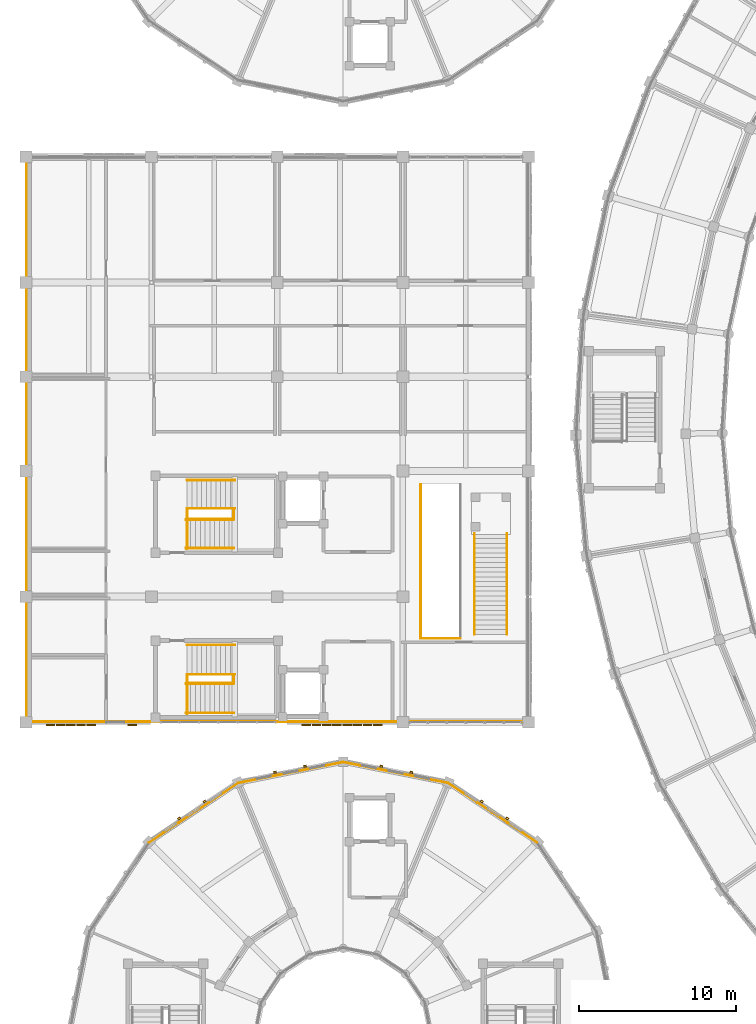
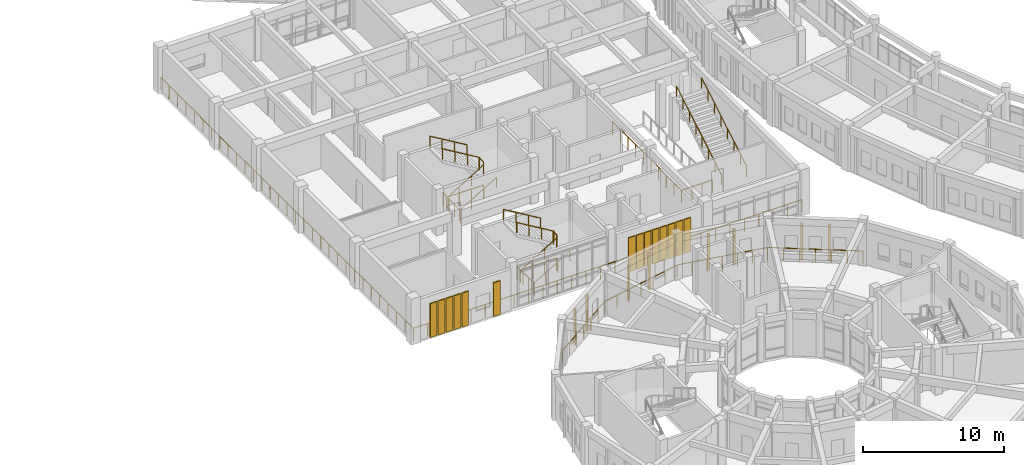
# One storey, part 142 of 159: 24 railings, 14 shading devices, 8 coverings.
"""IFC4 building model written with IfcOpenShell, lengths in metres."""

from ifc_helpers import new_model, si_unit, direction, frame, origin, origin_2d, place, context, subcontext, project, spatial, rectangle, circle, extrude, material, layer, layer_set, type_object, element, save


model = new_model("IFC4")

# Units and contexts
model_context = context("Model", 3, precision=1e-05, world=origin(), true_north=direction((0.0, 1.0)))
body_context = subcontext(model_context, "Body", "Model", "MODEL_VIEW")
ifc_project = project(units=[si_unit("LENGTHUNIT", "METRE"), si_unit("AREAUNIT", "SQUARE_METRE"), si_unit("VOLUMEUNIT", "CUBIC_METRE"), si_unit("PLANEANGLEUNIT", "RADIAN"), si_unit("MASSUNIT", "GRAM", prefix="KILO")], contexts=[model_context])

# Site, building, storey
site_placement = place(None, origin())
site = spatial("IfcSite", under=ifc_project, at=site_placement, CompositionType="ELEMENT")
building_placement = place(site_placement, origin())
building = spatial("IfcBuilding", under=site, at=building_placement, Name="Celadon Cloister-Ring School", CompositionType="ELEMENT")
storey_placement = place(building_placement, frame((0.0, 0.0, 4.5)))
storey = spatial("IfcBuildingStorey", under=building, at=storey_placement, Name="L01", CompositionType="ELEMENT", Elevation=4.5)

# Coverings
ifc_material_1 = material(Name="Perforated terracotta clay brick masonry", Category="masonry")
ifc_layer = layer(ifc_material_1, 0.139892578125)
ifc_layer_set = layer_set([ifc_layer], Name="Perforated terracotta clay brick masonry")
covering_type = type_object("IfcCoveringType", Name="CV-SC1", PredefinedType="CLADDING", material=ifc_layer_set)
for number, where, z_axis, x_axis, name in (
    (1, (29.02294921875, 34.9599609375, 0.0), (0.0, 0.0, 1.0), (0.831401730389, -0.55567181205, 0.0), "Brick Screen Rib 0610"),
    (2, (30.64404296875, 33.8759765625, 0.0), (0.0, 0.0, 1.0), (0.831401730389, -0.55567181205, 0.0), "Brick Screen Rib 0611"),
    (3, (22.626953125, 37.197998046875, 0.0), (0.0, 0.0, 1.0), (0.980775064153, -0.195141675546, 0.0), "Brick Screen Rib 0612"),
    (4, (24.5390625, 36.81689453125, 0.0), (0.0, 0.0, 1.0), (0.980775064153, -0.195141675546, 0.0), "Brick Screen Rib 0613"),
    (5, (15.861083984375, 36.81689453125, 0.0), (0.0, 0.0, 1.0), (0.980775064153, 0.195141675546, 0.0), "Brick Screen Rib 0614"),
    (6, (17.77294921875, 37.197998046875, 0.0), (0.0, 0.0, 1.0), (0.980775064153, 0.195141675546, 0.0), "Brick Screen Rib 0615"),
    (7, (9.756103515625, 33.8759765625, 0.0), (0.0, 0.0, 1.0), (0.831401730389, 0.55567181205, 0.0), "Brick Screen Rib 0616"),
    (8, (11.376953125, 34.9599609375, 0.0), (0.0, 0.0, 1.0), (0.831401730389, 0.55567181205, 0.0), "Brick Screen Rib 0617"),
):
    element("IfcCovering", number, at=place(storey_placement, frame(where, z_axis=z_axis, x_axis=x_axis)), inside=storey, type_object=covering_type, Name=name, PredefinedType="CLADDING", context=body_context, shape_type="SweptSolid", body=[
        extrude(rectangle(XDim=0.179931640625, YDim=0.139892578125, at=origin_2d()), origin(), (0.0, 0.0, 1.0), 3.152099609375),
    ])

# Railings
ifc_material_2 = material(Name="Structural steel S355JR", Category="steel")
railing_type_1 = type_object("IfcRailingType", Name="RL-BL1", PredefinedType="BALUSTRADE", material=ifc_material_2)
railing_1_placement = place(storey_placement, frame((32.5458984375, 32.345947265625, 0.0)))
element("IfcRailing", 9, at=railing_1_placement, inside=storey, type_object=railing_type_1, Name="Terrace Balustrade 0315", PredefinedType="BALUSTRADE", context=body_context, shape_type="SweptSolid", body=[
    extrude(circle(Radius=0.02392578125, at=origin_2d()), frame((0.0, 0.0, 1.09619140625), z_axis=(-0.831421205096, 0.555642672693, 0.0), x_axis=(-0.555642672693, -0.831421205096, 0.0)), (0.0, 0.0, 1.0), 6.812255859375),
    extrude(circle(Radius=0.02099609375, at=origin_2d()), origin(), (0.0, 0.0, 1.0), 1.072021484375),
    extrude(circle(Radius=0.02099609375, at=origin_2d()), frame((-0.94384765625, 0.630859375, 0.0)), (0.0, 0.0, 1.0), 1.072021484375),
    extrude(circle(Radius=0.02099609375, at=origin_2d()), frame((-1.887939453125, 1.26171875, 0.0)), (0.0, 0.0, 1.0), 1.072021484375),
    extrude(circle(Radius=0.02099609375, at=origin_2d()), frame((-2.83203125, 1.892578125, 0.0)), (0.0, 0.0, 1.0), 1.072021484375),
    extrude(circle(Radius=0.02099609375, at=origin_2d()), frame((-3.77587890625, 2.5234375, 0.0)), (0.0, 0.0, 1.0), 1.072021484375),
    extrude(circle(Radius=0.02099609375, at=origin_2d()), frame((-4.7197265625, 3.154296875, 0.0)), (0.0, 0.0, 1.0), 1.072021484375),
    extrude(circle(Radius=0.02099609375, at=origin_2d()), frame((-5.663818359375, 3.78515625, 0.0)), (0.0, 0.0, 1.0), 1.072021484375),
])
railing_2_placement = place(storey_placement, frame((26.882080078125, 36.131103515625, 0.0)))
element("IfcRailing", 10, at=railing_2_placement, inside=storey, type_object=railing_type_1, Name="Terrace Balustrade 0316", PredefinedType="BALUSTRADE", context=body_context, shape_type="SweptSolid", body=[
    extrude(circle(Radius=0.02392578125, at=origin_2d()), frame((0.0, 0.0, 1.09619140625), z_axis=(-0.980793723427, 0.195047871268, 0.0), x_axis=(-0.195047871268, -0.980793723427, 0.0)), (0.0, 0.0, 1.0), 6.81298828125),
    extrude(circle(Radius=0.02099609375, at=origin_2d()), origin(), (0.0, 0.0, 1.0), 1.072021484375),
    extrude(circle(Radius=0.02099609375, at=origin_2d()), frame((-1.11376953125, 0.221435546875, 0.0)), (0.0, 0.0, 1.0), 1.072021484375),
    extrude(circle(Radius=0.02099609375, at=origin_2d()), frame((-2.227294921875, 0.44287109375, 0.0)), (0.0, 0.0, 1.0), 1.072021484375),
    extrude(circle(Radius=0.02099609375, at=origin_2d()), frame((-3.341064453125, 0.66455078125, 0.0)), (0.0, 0.0, 1.0), 1.072021484375),
    extrude(circle(Radius=0.02099609375, at=origin_2d()), frame((-4.454833984375, 0.885986328125, 0.0)), (0.0, 0.0, 1.0), 1.072021484375),
    extrude(circle(Radius=0.02099609375, at=origin_2d()), frame((-5.568359375, 1.107421875, 0.0)), (0.0, 0.0, 1.0), 1.072021484375),
    extrude(circle(Radius=0.02099609375, at=origin_2d()), frame((-6.68212890625, 1.328857421875, 0.0)), (0.0, 0.0, 1.0), 1.072021484375),
])
railing_3_placement = place(storey_placement, frame((20.199951171875, 37.4599609375, 0.0)))
element("IfcRailing", 11, at=railing_3_placement, inside=storey, type_object=railing_type_1, Name="Terrace Balustrade 0317", PredefinedType="BALUSTRADE", context=body_context, shape_type="SweptSolid", body=[
    extrude(circle(Radius=0.02392578125, at=origin_2d()), frame((0.0, 0.0, 1.09619140625), z_axis=(-0.980792360074, -0.19505472673, 0.0), x_axis=(0.19505472673, -0.980792360074, 0.0)), (0.0, 0.0, 1.0), 6.812744140625),
    extrude(circle(Radius=0.02099609375, at=origin_2d()), origin(), (0.0, 0.0, 1.0), 1.072021484375),
    extrude(circle(Radius=0.02099609375, at=origin_2d()), frame((-1.11376953125, -0.221435546875, 0.0)), (0.0, 0.0, 1.0), 1.072021484375),
    extrude(circle(Radius=0.02099609375, at=origin_2d()), frame((-2.227294921875, -0.44287109375, 0.0)), (0.0, 0.0, 1.0), 1.072021484375),
    extrude(circle(Radius=0.02099609375, at=origin_2d()), frame((-3.3408203125, -0.66455078125, 0.0)), (0.0, 0.0, 1.0), 1.072021484375),
    extrude(circle(Radius=0.02099609375, at=origin_2d()), frame((-4.45458984375, -0.885986328125, 0.0)), (0.0, 0.0, 1.0), 1.072021484375),
    extrude(circle(Radius=0.02099609375, at=origin_2d()), frame((-5.568359375, -1.107421875, 0.0)), (0.0, 0.0, 1.0), 1.072021484375),
    extrude(circle(Radius=0.02099609375, at=origin_2d()), frame((-6.681884765625, -1.328857421875, 0.0)), (0.0, 0.0, 1.0), 1.072021484375),
])
railing_4_placement = place(storey_placement, frame((13.51806640625, 36.131103515625, 0.0)))
element("IfcRailing", 12, at=railing_4_placement, inside=storey, type_object=railing_type_1, Name="Terrace Balustrade 0318", PredefinedType="BALUSTRADE", context=body_context, shape_type="SweptSolid", body=[
    extrude(circle(Radius=0.02392578125, at=origin_2d()), frame((0.0, 0.0, 1.09619140625), z_axis=(-0.831432269387, -0.555626116577, 0.0), x_axis=(0.555626116577, -0.831432269387, 0.0)), (0.0, 0.0, 1.0), 6.8125),
    extrude(circle(Radius=0.02099609375, at=origin_2d()), origin(), (0.0, 0.0, 1.0), 1.072021484375),
    extrude(circle(Radius=0.02099609375, at=origin_2d()), frame((-0.944091796875, -0.630859375, 0.0)), (0.0, 0.0, 1.0), 1.072021484375),
    extrude(circle(Radius=0.02099609375, at=origin_2d()), frame((-1.887939453125, -1.26171875, 0.0)), (0.0, 0.0, 1.0), 1.072021484375),
    extrude(circle(Radius=0.02099609375, at=origin_2d()), frame((-2.83203125, -1.892578125, 0.0)), (0.0, 0.0, 1.0), 1.072021484375),
    extrude(circle(Radius=0.02099609375, at=origin_2d()), frame((-3.776123046875, -2.5234375, 0.0)), (0.0, 0.0, 1.0), 1.072021484375),
    extrude(circle(Radius=0.02099609375, at=origin_2d()), frame((-4.719970703125, -3.154296875, 0.0)), (0.0, 0.0, 1.0), 1.072021484375),
    extrude(circle(Radius=0.02099609375, at=origin_2d()), frame((-5.6640625, -3.78515625, 0.0)), (0.0, 0.0, 1.0), 1.072021484375),
])
railing_5_placement = place(storey_placement, frame((0.0400390625, 40.0400390625, 0.0)))
element("IfcRailing", 13, at=railing_5_placement, inside=storey, type_object=railing_type_1, Name="Terrace Balustrade 0444", PredefinedType="BALUSTRADE", context=body_context, shape_type="SweptSolid", body=[
    extrude(circle(Radius=0.02392578125, at=origin_2d()), frame((0.0, 0.0, 1.09619140625), z_axis=(1.0, 0.0, 0.0), x_axis=(0.0, 1.0, 0.0)), (0.0, 0.0, 1.0), 31.919921875),
    extrude(circle(Radius=0.02099609375, at=origin_2d()), origin(), (0.0, 0.0, 1.0), 1.072021484375),
    extrude(circle(Radius=0.02099609375, at=origin_2d()), frame((1.18212890625, 0.0, 0.0)), (0.0, 0.0, 1.0), 1.072021484375),
    extrude(circle(Radius=0.02099609375, at=origin_2d()), frame((2.364501953125, 0.0, 0.0)), (0.0, 0.0, 1.0), 1.072021484375),
    extrude(circle(Radius=0.02099609375, at=origin_2d()), frame((3.546630859375, 0.0, 0.0)), (0.0, 0.0, 1.0), 1.072021484375),
    extrude(circle(Radius=0.02099609375, at=origin_2d()), frame((4.728759765625, 0.0, 0.0)), (0.0, 0.0, 1.0), 1.072021484375),
    extrude(circle(Radius=0.02099609375, at=origin_2d()), frame((5.9111328125, 0.0, 0.0)), (0.0, 0.0, 1.0), 1.072021484375),
    extrude(circle(Radius=0.02099609375, at=origin_2d()), frame((7.09326171875, 0.0, 0.0)), (0.0, 0.0, 1.0), 1.072021484375),
    extrude(circle(Radius=0.02099609375, at=origin_2d()), frame((8.275634765625, 0.0, 0.0)), (0.0, 0.0, 1.0), 1.072021484375),
    extrude(circle(Radius=0.02099609375, at=origin_2d()), frame((9.457763671875, 0.0, 0.0)), (0.0, 0.0, 1.0), 1.072021484375),
    extrude(circle(Radius=0.02099609375, at=origin_2d()), frame((10.639892578125, 0.0, 0.0)), (0.0, 0.0, 1.0), 1.072021484375),
    extrude(circle(Radius=0.02099609375, at=origin_2d()), frame((11.822265625, 0.0, 0.0)), (0.0, 0.0, 1.0), 1.072021484375),
    extrude(circle(Radius=0.02099609375, at=origin_2d()), frame((13.00439453125, 0.0, 0.0)), (0.0, 0.0, 1.0), 1.072021484375),
    extrude(circle(Radius=0.02099609375, at=origin_2d()), frame((14.1865234375, 0.0, 0.0)), (0.0, 0.0, 1.0), 1.072021484375),
    extrude(circle(Radius=0.02099609375, at=origin_2d()), frame((15.368896484375, 0.0, 0.0)), (0.0, 0.0, 1.0), 1.072021484375),
    extrude(circle(Radius=0.02099609375, at=origin_2d()), frame((16.551025390625, 0.0, 0.0)), (0.0, 0.0, 1.0), 1.072021484375),
    extrude(circle(Radius=0.02099609375, at=origin_2d()), frame((17.7333984375, 0.0, 0.0)), (0.0, 0.0, 1.0), 1.072021484375),
    extrude(circle(Radius=0.02099609375, at=origin_2d()), frame((18.91552734375, 0.0, 0.0)), (0.0, 0.0, 1.0), 1.072021484375),
    extrude(circle(Radius=0.02099609375, at=origin_2d()), frame((20.09765625, 0.0, 0.0)), (0.0, 0.0, 1.0), 1.072021484375),
    extrude(circle(Radius=0.02099609375, at=origin_2d()), frame((21.280029296875, 0.0, 0.0)), (0.0, 0.0, 1.0), 1.072021484375),
    extrude(circle(Radius=0.02099609375, at=origin_2d()), frame((22.462158203125, 0.0, 0.0)), (0.0, 0.0, 1.0), 1.072021484375),
    extrude(circle(Radius=0.02099609375, at=origin_2d()), frame((23.644287109375, 0.0, 0.0)), (0.0, 0.0, 1.0), 1.072021484375),
    extrude(circle(Radius=0.02099609375, at=origin_2d()), frame((24.82666015625, 0.0, 0.0)), (0.0, 0.0, 1.0), 1.072021484375),
    extrude(circle(Radius=0.02099609375, at=origin_2d()), frame((26.0087890625, 0.0, 0.0)), (0.0, 0.0, 1.0), 1.072021484375),
    extrude(circle(Radius=0.02099609375, at=origin_2d()), frame((27.191162109375, 0.0, 0.0)), (0.0, 0.0, 1.0), 1.072021484375),
    extrude(circle(Radius=0.02099609375, at=origin_2d()), frame((28.373291015625, 0.0, 0.0)), (0.0, 0.0, 1.0), 1.072021484375),
    extrude(circle(Radius=0.02099609375, at=origin_2d()), frame((29.555419921875, 0.0, 0.0)), (0.0, 0.0, 1.0), 1.072021484375),
    extrude(circle(Radius=0.02099609375, at=origin_2d()), frame((30.73779296875, 0.0, 0.0)), (0.0, 0.0, 1.0), 1.072021484375),
    extrude(circle(Radius=0.02099609375, at=origin_2d()), frame((31.919921875, 0.0, 0.0)), (0.0, 0.0, 1.0), 1.072021484375),
])
railing_6_placement = place(storey_placement, frame((0.0400390625, 75.9599609375, 0.0)))
element("IfcRailing", 14, at=railing_6_placement, inside=storey, type_object=railing_type_1, Name="Terrace Balustrade 0447", PredefinedType="BALUSTRADE", context=body_context, shape_type="SweptSolid", body=[
    extrude(circle(Radius=0.02392578125, at=origin_2d()), frame((0.0, 0.0, 1.09619140625), z_axis=(0.0, -1.0, 0.0), x_axis=(1.0, 0.0, 0.0)), (0.0, 0.0, 1.0), 35.919921875),
    extrude(circle(Radius=0.02099609375, at=origin_2d()), origin(), (0.0, 0.0, 1.0), 1.072021484375),
    extrude(circle(Radius=0.02099609375, at=origin_2d()), frame((0.0, -1.197265625, 0.0)), (0.0, 0.0, 1.0), 1.072021484375),
    extrude(circle(Radius=0.02099609375, at=origin_2d()), frame((0.0, -2.394775390625, 0.0)), (0.0, 0.0, 1.0), 1.072021484375),
    extrude(circle(Radius=0.02099609375, at=origin_2d()), frame((0.0, -3.592041015625, 0.0)), (0.0, 0.0, 1.0), 1.072021484375),
    extrude(circle(Radius=0.02099609375, at=origin_2d()), frame((0.0, -4.789306640625, 0.0)), (0.0, 0.0, 1.0), 1.072021484375),
    extrude(circle(Radius=0.02099609375, at=origin_2d()), frame((0.0, -5.986572265625, 0.0)), (0.0, 0.0, 1.0), 1.072021484375),
    extrude(circle(Radius=0.02099609375, at=origin_2d()), frame((0.0, -7.18408203125, 0.0)), (0.0, 0.0, 1.0), 1.072021484375),
    extrude(circle(Radius=0.02099609375, at=origin_2d()), frame((0.0, -8.38134765625, 0.0)), (0.0, 0.0, 1.0), 1.072021484375),
    extrude(circle(Radius=0.02099609375, at=origin_2d()), frame((0.0, -9.57861328125, 0.0)), (0.0, 0.0, 1.0), 1.072021484375),
    extrude(circle(Radius=0.02099609375, at=origin_2d()), frame((0.0, -10.77587890625, 0.0)), (0.0, 0.0, 1.0), 1.072021484375),
    extrude(circle(Radius=0.02099609375, at=origin_2d()), frame((0.0, -11.973388671875, 0.0)), (0.0, 0.0, 1.0), 1.072021484375),
    extrude(circle(Radius=0.02099609375, at=origin_2d()), frame((0.0, -13.170654296875, 0.0)), (0.0, 0.0, 1.0), 1.072021484375),
    extrude(circle(Radius=0.02099609375, at=origin_2d()), frame((0.0, -14.367919921875, 0.0)), (0.0, 0.0, 1.0), 1.072021484375),
    extrude(circle(Radius=0.02099609375, at=origin_2d()), frame((0.0, -15.565185546875, 0.0)), (0.0, 0.0, 1.0), 1.072021484375),
    extrude(circle(Radius=0.02099609375, at=origin_2d()), frame((0.0, -16.7626953125, 0.0)), (0.0, 0.0, 1.0), 1.072021484375),
    extrude(circle(Radius=0.02099609375, at=origin_2d()), frame((0.0, -17.9599609375, 0.0)), (0.0, 0.0, 1.0), 1.072021484375),
    extrude(circle(Radius=0.02099609375, at=origin_2d()), frame((0.0, -19.1572265625, 0.0)), (0.0, 0.0, 1.0), 1.072021484375),
    extrude(circle(Radius=0.02099609375, at=origin_2d()), frame((0.0, -20.354736328125, 0.0)), (0.0, 0.0, 1.0), 1.072021484375),
    extrude(circle(Radius=0.02099609375, at=origin_2d()), frame((0.0, -21.552001953125, 0.0)), (0.0, 0.0, 1.0), 1.072021484375),
    extrude(circle(Radius=0.02099609375, at=origin_2d()), frame((0.0, -22.749267578125, 0.0)), (0.0, 0.0, 1.0), 1.072021484375),
    extrude(circle(Radius=0.02099609375, at=origin_2d()), frame((0.0, -23.946533203125, 0.0)), (0.0, 0.0, 1.0), 1.072021484375),
    extrude(circle(Radius=0.02099609375, at=origin_2d()), frame((0.0, -25.14404296875, 0.0)), (0.0, 0.0, 1.0), 1.072021484375),
    extrude(circle(Radius=0.02099609375, at=origin_2d()), frame((0.0, -26.34130859375, 0.0)), (0.0, 0.0, 1.0), 1.072021484375),
    extrude(circle(Radius=0.02099609375, at=origin_2d()), frame((0.0, -27.53857421875, 0.0)), (0.0, 0.0, 1.0), 1.072021484375),
    extrude(circle(Radius=0.02099609375, at=origin_2d()), frame((0.0, -28.73583984375, 0.0)), (0.0, 0.0, 1.0), 1.072021484375),
    extrude(circle(Radius=0.02099609375, at=origin_2d()), frame((0.0, -29.933349609375, 0.0)), (0.0, 0.0, 1.0), 1.072021484375),
    extrude(circle(Radius=0.02099609375, at=origin_2d()), frame((0.0, -31.130615234375, 0.0)), (0.0, 0.0, 1.0), 1.072021484375),
    extrude(circle(Radius=0.02099609375, at=origin_2d()), frame((0.0, -32.327880859375, 0.0)), (0.0, 0.0, 1.0), 1.072021484375),
    extrude(circle(Radius=0.02099609375, at=origin_2d()), frame((0.0, -33.525146484375, 0.0)), (0.0, 0.0, 1.0), 1.072021484375),
    extrude(circle(Radius=0.02099609375, at=origin_2d()), frame((0.0, -34.72265625, 0.0)), (0.0, 0.0, 1.0), 1.072021484375),
    extrude(circle(Radius=0.02099609375, at=origin_2d()), frame((0.0, -35.919921875, 0.0)), (0.0, 0.0, 1.0), 1.072021484375),
])
ifc_material_3 = material(Name="Structural steel S355JR", Category="steel")
railing_type_2 = type_object("IfcRailingType", Name="RL-BL2", PredefinedType="BALUSTRADE", material=ifc_material_3)
railing_7_placement = place(storey_placement, frame((13.239990234375, 42.5, 2.0)))
element("IfcRailing", 15, at=railing_7_placement, inside=storey, type_object=railing_type_2, Name="Interior Guard 0010", PredefinedType="BALUSTRADE", context=body_context, shape_type="SweptSolid", body=[
    extrude(circle(Radius=0.02392578125, at=origin_2d()), frame((0.0, 0.0, 1.09619140625), z_axis=(0.0, 1.0, 0.0), x_axis=(-1.0, 0.0, 0.0)), (0.0, 0.0, 1.0), 0.5),
    extrude(circle(Radius=0.02099609375, at=origin_2d()), origin(), (0.0, 0.0, 1.0), 1.072021484375),
    extrude(circle(Radius=0.02099609375, at=origin_2d()), frame((0.0, 0.5, 0.0)), (0.0, 0.0, 1.0), 1.072021484375),
])
railing_8_placement = place(storey_placement, frame((10.27001953125, 40.5400390625, 0.0)))
element("IfcRailing", 16, at=railing_8_placement, inside=storey, type_object=railing_type_2, Name="Interior Guard 0011", PredefinedType="BALUSTRADE", context=body_context, shape_type="SweptSolid", body=[
    extrude(circle(Radius=0.02392578125, at=origin_2d()), frame((0.0, 0.0, 1.09619140625), z_axis=(0.0, 1.0, 0.0), x_axis=(-1.0, 0.0, 0.0)), (0.0, 0.0, 1.0), 2.4599609375),
    extrude(circle(Radius=0.02099609375, at=origin_2d()), origin(), (0.0, 0.0, 1.0), 1.072021484375),
    extrude(circle(Radius=0.02099609375, at=origin_2d()), frame((0.0, 0.820068359375, 0.0)), (0.0, 0.0, 1.0), 1.072021484375),
    extrude(circle(Radius=0.02099609375, at=origin_2d()), frame((0.0, 1.639892578125, 0.0)), (0.0, 0.0, 1.0), 1.072021484375),
    extrude(circle(Radius=0.02099609375, at=origin_2d()), frame((0.0, 2.4599609375, 0.0)), (0.0, 0.0, 1.0), 1.072021484375),
])
railing_9_placement = place(storey_placement, frame((10.27001953125, 42.5, 0.0)))
element("IfcRailing", 17, at=railing_9_placement, inside=storey, type_object=railing_type_2, Name="Interior Guard 0012", PredefinedType="BALUSTRADE", context=body_context, shape_type="SweptSolid", body=[
    extrude(circle(Radius=0.02392578125, at=origin_2d()), frame((0.0, 0.0, 1.09619140625), z_axis=(1.0, 0.0, 0.0), x_axis=(0.0, 1.0, 0.0)), (0.0, 0.0, 1.0), 2.969970703125),
    extrude(circle(Radius=0.02099609375, at=origin_2d()), origin(), (0.0, 0.0, 1.0), 1.072021484375),
    extrude(circle(Radius=0.02099609375, at=origin_2d()), frame((0.989990234375, 0.0, 0.0)), (0.0, 0.0, 1.0), 1.072021484375),
    extrude(circle(Radius=0.02099609375, at=origin_2d()), frame((1.97998046875, 0.0, 0.0)), (0.0, 0.0, 1.0), 1.072021484375),
    extrude(circle(Radius=0.02099609375, at=origin_2d()), frame((2.969970703125, 0.0, 0.0)), (0.0, 0.0, 1.0), 1.072021484375),
])
railing_10_placement = place(storey_placement, frame((13.239990234375, 52.93994140625, 2.0)))
element("IfcRailing", 18, at=railing_10_placement, inside=storey, type_object=railing_type_2, Name="Interior Guard 0045", PredefinedType="BALUSTRADE", context=body_context, shape_type="SweptSolid", body=[
    extrude(circle(Radius=0.02392578125, at=origin_2d()), frame((0.0, 0.0, 1.09619140625), z_axis=(0.0, 1.0, 0.0), x_axis=(-1.0, 0.0, 0.0)), (0.0, 0.0, 1.0), 0.6201171875),
    extrude(circle(Radius=0.02099609375, at=origin_2d()), origin(), (0.0, 0.0, 1.0), 1.072021484375),
    extrude(circle(Radius=0.02099609375, at=origin_2d()), frame((0.0, 0.6201171875, 0.0)), (0.0, 0.0, 1.0), 1.072021484375),
])
railing_11_placement = place(storey_placement, frame((10.27001953125, 51.0400390625, 0.0)))
element("IfcRailing", 19, at=railing_11_placement, inside=storey, type_object=railing_type_2, Name="Interior Guard 0046", PredefinedType="BALUSTRADE", context=body_context, shape_type="SweptSolid", body=[
    extrude(circle(Radius=0.02392578125, at=origin_2d()), frame((0.0, 0.0, 1.09619140625), z_axis=(0.0, 1.0, 0.0), x_axis=(-1.0, 0.0, 0.0)), (0.0, 0.0, 1.0), 2.52001953125),
    extrude(circle(Radius=0.02099609375, at=origin_2d()), origin(), (0.0, 0.0, 1.0), 1.072021484375),
    extrude(circle(Radius=0.02099609375, at=origin_2d()), frame((0.0, 0.840087890625, 0.0)), (0.0, 0.0, 1.0), 1.072021484375),
    extrude(circle(Radius=0.02099609375, at=origin_2d()), frame((0.0, 1.679931640625, 0.0)), (0.0, 0.0, 1.0), 1.072021484375),
    extrude(circle(Radius=0.02099609375, at=origin_2d()), frame((0.0, 2.52001953125, 0.0)), (0.0, 0.0, 1.0), 1.072021484375),
])
railing_12_placement = place(storey_placement, frame((10.27001953125, 52.93994140625, 0.0)))
element("IfcRailing", 20, at=railing_12_placement, inside=storey, type_object=railing_type_2, Name="Interior Guard 0047", PredefinedType="BALUSTRADE", context=body_context, shape_type="SweptSolid", body=[
    extrude(circle(Radius=0.02392578125, at=origin_2d()), frame((0.0, 0.0, 1.09619140625), z_axis=(1.0, 0.0, 0.0), x_axis=(0.0, 1.0, 0.0)), (0.0, 0.0, 1.0), 2.969970703125),
    extrude(circle(Radius=0.02099609375, at=origin_2d()), origin(), (0.0, 0.0, 1.0), 1.072021484375),
    extrude(circle(Radius=0.02099609375, at=origin_2d()), frame((0.989990234375, 0.0, 0.0)), (0.0, 0.0, 1.0), 1.072021484375),
    extrude(circle(Radius=0.02099609375, at=origin_2d()), frame((1.97998046875, 0.0, 0.0)), (0.0, 0.0, 1.0), 1.072021484375),
    extrude(circle(Radius=0.02099609375, at=origin_2d()), frame((2.969970703125, 0.0, 0.0)), (0.0, 0.0, 1.0), 1.072021484375),
])
railing_13_placement = place(storey_placement, frame((25.135009765625, 55.14990234375, 0.0)))
element("IfcRailing", 21, at=railing_13_placement, inside=storey, type_object=railing_type_2, Name="Interior Guard 0274", PredefinedType="BALUSTRADE", context=body_context, shape_type="SweptSolid", body=[
    extrude(circle(Radius=0.02392578125, at=origin_2d()), frame((0.0, 0.0, 1.09619140625), z_axis=(0.0, -1.0, 0.0), x_axis=(1.0, 0.0, 0.0)), (0.0, 0.0, 1.0), 9.81494140625),
    extrude(circle(Radius=0.02099609375, at=origin_2d()), origin(), (0.0, 0.0, 1.0), 1.072021484375),
    extrude(circle(Radius=0.02099609375, at=origin_2d()), frame((0.0, -1.090576171875, 0.0)), (0.0, 0.0, 1.0), 1.072021484375),
    extrude(circle(Radius=0.02099609375, at=origin_2d()), frame((0.0, -2.18115234375, 0.0)), (0.0, 0.0, 1.0), 1.072021484375),
    extrude(circle(Radius=0.02099609375, at=origin_2d()), frame((0.0, -3.271728515625, 0.0)), (0.0, 0.0, 1.0), 1.072021484375),
    extrude(circle(Radius=0.02099609375, at=origin_2d()), frame((0.0, -4.3623046875, 0.0)), (0.0, 0.0, 1.0), 1.072021484375),
    extrude(circle(Radius=0.02099609375, at=origin_2d()), frame((0.0, -5.45263671875, 0.0)), (0.0, 0.0, 1.0), 1.072021484375),
    extrude(circle(Radius=0.02099609375, at=origin_2d()), frame((0.0, -6.543212890625, 0.0)), (0.0, 0.0, 1.0), 1.072021484375),
    extrude(circle(Radius=0.02099609375, at=origin_2d()), frame((0.0, -7.6337890625, 0.0)), (0.0, 0.0, 1.0), 1.072021484375),
    extrude(circle(Radius=0.02099609375, at=origin_2d()), frame((0.0, -8.724365234375, 0.0)), (0.0, 0.0, 1.0), 1.072021484375),
    extrude(circle(Radius=0.02099609375, at=origin_2d()), frame((0.0, -9.81494140625, 0.0)), (0.0, 0.0, 1.0), 1.072021484375),
])
railing_14_placement = place(storey_placement, frame((25.135009765625, 45.3349609375, 0.0)))
element("IfcRailing", 22, at=railing_14_placement, inside=storey, type_object=railing_type_2, Name="Interior Guard 0275", PredefinedType="BALUSTRADE", context=body_context, shape_type="SweptSolid", body=[
    extrude(circle(Radius=0.02392578125, at=origin_2d()), frame((0.0, 0.0, 1.09619140625), z_axis=(1.0, 0.0, 0.0), x_axis=(0.0, 1.0, 0.0)), (0.0, 0.0, 1.0), 2.530029296875),
    extrude(circle(Radius=0.02099609375, at=origin_2d()), origin(), (0.0, 0.0, 1.0), 1.072021484375),
    extrude(circle(Radius=0.02099609375, at=origin_2d()), frame((0.84326171875, 0.0, 0.0)), (0.0, 0.0, 1.0), 1.072021484375),
    extrude(circle(Radius=0.02099609375, at=origin_2d()), frame((1.686767578125, 0.0, 0.0)), (0.0, 0.0, 1.0), 1.072021484375),
    extrude(circle(Radius=0.02099609375, at=origin_2d()), frame((2.530029296875, 0.0, 0.0)), (0.0, 0.0, 1.0), 1.072021484375),
])
ifc_material_4 = material(Name="Structural steel S355JR", Category="steel")
railing_type_3 = type_object("IfcRailingType", Name="RL-HR1", PredefinedType="HANDRAIL", material=ifc_material_4)
for number, where, name in (
    (23, (10.18994140625, 40.5849609375, 0.181884765625), "Stair Handrail 0006"),
    (24, (10.18994140625, 42.455078125, 0.181884765625), "Stair Handrail 0007"),
):
    element("IfcRailing", number, at=place(storey_placement, frame(where)), inside=storey, type_object=railing_type_3, Name=name, PredefinedType="HANDRAIL", context=body_context, shape_type="SweptSolid", body=[
        extrude(circle(Radius=0.02099609375, at=origin_2d()), frame((0.0, 0.0, 0.87890625), z_axis=(0.858969654429, 0.0, 0.51202649616), x_axis=(0.0, 1.0, 0.0)), (0.0, 0.0, 1.0), 3.55078125),
        extrude(circle(Radius=0.01806640625, at=origin_2d()), origin(), (0.0, 0.0, 1.0), 0.85791015625),
        extrude(circle(Radius=0.01806640625, at=origin_2d()), frame((1.0166015625, 0.0, 0.60595703125)), (0.0, 0.0, 1.0), 0.85791015625),
        extrude(circle(Radius=0.01806640625, at=origin_2d()), frame((2.033447265625, 0.0, 1.212158203125)), (0.0, 0.0, 1.0), 0.85791015625),
        extrude(circle(Radius=0.01806640625, at=origin_2d()), frame((3.050048828125, 0.0, 1.818115234375)), (0.0, 0.0, 1.0), 0.85791015625),
    ])
for number, where, name in (
    (25, (13.320068359375, 44.9150390625, 2.181884765625), "Stair Handrail 0008"),
    (26, (13.320068359375, 43.044921875, 2.181884765625), "Stair Handrail 0009"),
):
    element("IfcRailing", number, at=place(storey_placement, frame(where)), inside=storey, type_object=railing_type_3, Name=name, PredefinedType="HANDRAIL", context=body_context, shape_type="SweptSolid", body=[
        extrude(circle(Radius=0.02099609375, at=origin_2d()), frame((0.0, 0.0, 0.87890625), z_axis=(-0.858969654429, 0.0, 0.51202649616), x_axis=(0.0, -1.0, 0.0)), (0.0, 0.0, 1.0), 3.55078125),
        extrude(circle(Radius=0.01806640625, at=origin_2d()), origin(), (0.0, 0.0, 1.0), 0.85791015625),
        extrude(circle(Radius=0.01806640625, at=origin_2d()), frame((-1.0166015625, 0.0, 0.60595703125)), (0.0, 0.0, 1.0), 0.85791015625),
        extrude(circle(Radius=0.01806640625, at=origin_2d()), frame((-2.033447265625, 0.0, 1.212158203125)), (0.0, 0.0, 1.0), 0.85791015625),
        extrude(circle(Radius=0.01806640625, at=origin_2d()), frame((-3.050048828125, 0.0, 1.818115234375)), (0.0, 0.0, 1.0), 0.85791015625),
    ])
for number, where, name in (
    (27, (10.18994140625, 51.0849609375, 0.181884765625), "Stair Handrail 0041"),
    (28, (10.18994140625, 52.89501953125, 0.181884765625), "Stair Handrail 0042"),
):
    element("IfcRailing", number, at=place(storey_placement, frame(where)), inside=storey, type_object=railing_type_3, Name=name, PredefinedType="HANDRAIL", context=body_context, shape_type="SweptSolid", body=[
        extrude(circle(Radius=0.02099609375, at=origin_2d()), frame((0.0, 0.0, 0.87890625), z_axis=(0.858969654429, 0.0, 0.51202649616), x_axis=(0.0, 1.0, 0.0)), (0.0, 0.0, 1.0), 3.55078125),
        extrude(circle(Radius=0.01806640625, at=origin_2d()), origin(), (0.0, 0.0, 1.0), 0.85791015625),
        extrude(circle(Radius=0.01806640625, at=origin_2d()), frame((1.0166015625, 0.0, 0.60595703125)), (0.0, 0.0, 1.0), 0.85791015625),
        extrude(circle(Radius=0.01806640625, at=origin_2d()), frame((2.033447265625, 0.0, 1.212158203125)), (0.0, 0.0, 1.0), 0.85791015625),
        extrude(circle(Radius=0.01806640625, at=origin_2d()), frame((3.050048828125, 0.0, 1.818115234375)), (0.0, 0.0, 1.0), 0.85791015625),
    ])
for number, where, name in (
    (29, (13.320068359375, 55.4150390625, 2.181884765625), "Stair Handrail 0043"),
    (30, (13.320068359375, 53.60498046875, 2.181884765625), "Stair Handrail 0044"),
):
    element("IfcRailing", number, at=place(storey_placement, frame(where)), inside=storey, type_object=railing_type_3, Name=name, PredefinedType="HANDRAIL", context=body_context, shape_type="SweptSolid", body=[
        extrude(circle(Radius=0.02099609375, at=origin_2d()), frame((0.0, 0.0, 0.87890625), z_axis=(-0.858969654429, 0.0, 0.51202649616), x_axis=(0.0, -1.0, 0.0)), (0.0, 0.0, 1.0), 3.55078125),
        extrude(circle(Radius=0.01806640625, at=origin_2d()), origin(), (0.0, 0.0, 1.0), 0.85791015625),
        extrude(circle(Radius=0.01806640625, at=origin_2d()), frame((-1.0166015625, 0.0, 0.60595703125)), (0.0, 0.0, 1.0), 0.85791015625),
        extrude(circle(Radius=0.01806640625, at=origin_2d()), frame((-2.033447265625, 0.0, 1.212158203125)), (0.0, 0.0, 1.0), 0.85791015625),
        extrude(circle(Radius=0.01806640625, at=origin_2d()), frame((-3.050048828125, 0.0, 1.818115234375)), (0.0, 0.0, 1.0), 0.85791015625),
    ])
for number, where, name in (
    (31, (30.635009765625, 45.60009765625, 0.181884765625), "Stair Handrail 0282"),
    (32, (28.56494140625, 45.60009765625, 0.181884765625), "Stair Handrail 0283"),
):
    element("IfcRailing", number, at=place(storey_placement, frame(where)), inside=storey, type_object=railing_type_3, Name=name, PredefinedType="HANDRAIL", context=body_context, shape_type="SweptSolid", body=[
        extrude(circle(Radius=0.02099609375, at=origin_2d()), frame((0.0, 0.0, 0.87890625), z_axis=(0.0, 0.858954174688, 0.5120524639), x_axis=(-1.0, 0.0, 0.0)), (0.0, 0.0, 1.0), 7.45654296875),
        extrude(circle(Radius=0.01806640625, at=origin_2d()), origin(), (0.0, 0.0, 1.0), 0.85791015625),
        extrude(circle(Radius=0.01806640625, at=origin_2d()), frame((0.0, 0.9150390625, 0.54541015625)), (0.0, 0.0, 1.0), 0.85791015625),
        extrude(circle(Radius=0.01806640625, at=origin_2d()), frame((0.0, 1.829833984375, 1.0908203125)), (0.0, 0.0, 1.0), 0.85791015625),
        extrude(circle(Radius=0.01806640625, at=origin_2d()), frame((0.0, 2.744873046875, 1.63623046875)), (0.0, 0.0, 1.0), 0.85791015625),
        extrude(circle(Radius=0.01806640625, at=origin_2d()), frame((0.0, 3.659912109375, 2.181884765625)), (0.0, 0.0, 1.0), 0.85791015625),
        extrude(circle(Radius=0.01806640625, at=origin_2d()), frame((0.0, 4.574951171875, 2.727294921875)), (0.0, 0.0, 1.0), 0.85791015625),
        extrude(circle(Radius=0.01806640625, at=origin_2d()), frame((0.0, 5.48974609375, 3.272705078125)), (0.0, 0.0, 1.0), 0.85791015625),
        extrude(circle(Radius=0.01806640625, at=origin_2d()), frame((0.0, 6.40478515625, 3.818115234375)), (0.0, 0.0, 1.0), 0.85791015625),
    ])

# Shading devices
ifc_material_5 = material(Name="Glazed celadon architectural terracotta", Category="masonry")
shading_device_type = type_object("IfcShadingDeviceType", Name="SD-01", PredefinedType="USERDEFINED", material=ifc_material_5)
for number, where, z_axis, x_axis, name in (
    (33, (22.39990234375, 39.827880859375, 0.0), (0.0, 0.0, 1.0), (-1.0, 0.0, 0.0), "Celadon Sunshade Screen 0155"),
    (34, (21.75, 39.827880859375, 0.0), (0.0, 0.0, 1.0), (-1.0, 0.0, 0.0), "Celadon Sunshade Screen 0156"),
    (35, (21.10009765625, 39.827880859375, 0.0), (0.0, 0.0, 1.0), (-1.0, 0.0, 0.0), "Celadon Sunshade Screen 0157"),
    (36, (20.449951171875, 39.827880859375, 0.0), (0.0, 0.0, 1.0), (-1.0, 0.0, 0.0), "Celadon Sunshade Screen 0158"),
    (37, (19.800048828125, 39.827880859375, 0.0), (0.0, 0.0, 1.0), (-1.0, 0.0, 0.0), "Celadon Sunshade Screen 0159"),
    (38, (19.14990234375, 39.827880859375, 0.0), (0.0, 0.0, 1.0), (-1.0, 0.0, 0.0), "Celadon Sunshade Screen 0160"),
    (39, (18.5, 39.827880859375, 0.0), (0.0, 0.0, 1.0), (-1.0, 0.0, 0.0), "Celadon Sunshade Screen 0161"),
    (40, (17.85009765625, 39.827880859375, 0.0), (0.0, 0.0, 1.0), (-1.0, 0.0, 0.0), "Celadon Sunshade Screen 0162"),
    (41, (6.762939453125, 39.827880859375, 0.0), (0.0, 0.0, 1.0), (-1.0, 0.0, 0.0), "Celadon Sunshade Screen 0163"),
    (42, (4.162109375, 39.827880859375, 0.0), (0.0, 0.0, 1.0), (-1.0, 0.0, 0.0), "Celadon Sunshade Screen 0164"),
    (43, (3.512939453125, 39.827880859375, 0.0), (0.0, 0.0, 1.0), (-1.0, 0.0, 0.0), "Celadon Sunshade Screen 0165"),
    (44, (2.862060546875, 39.827880859375, 0.0), (0.0, 0.0, 1.0), (-1.0, 0.0, 0.0), "Celadon Sunshade Screen 0166"),
    (45, (2.212890625, 39.827880859375, 0.0), (0.0, 0.0, 1.0), (-1.0, 0.0, 0.0), "Celadon Sunshade Screen 0167"),
    (46, (1.56201171875, 39.827880859375, 0.0), (0.0, 0.0, 1.0), (-1.0, 0.0, 0.0), "Celadon Sunshade Screen 0168"),
):
    element("IfcShadingDevice", number, at=place(storey_placement, frame(where, z_axis=z_axis, x_axis=x_axis)), inside=storey, type_object=shading_device_type, Name=name, ObjectType="SUNSHADE", PredefinedType="USERDEFINED", context=body_context, shape_type="SweptSolid", body=[
        extrude(rectangle(XDim=0.56005859375, YDim=0.090087890625, at=origin_2d()), origin(), (0.0, 0.0, 1.0), 2.949951171875),
    ])

save(model, "model.ifc")
